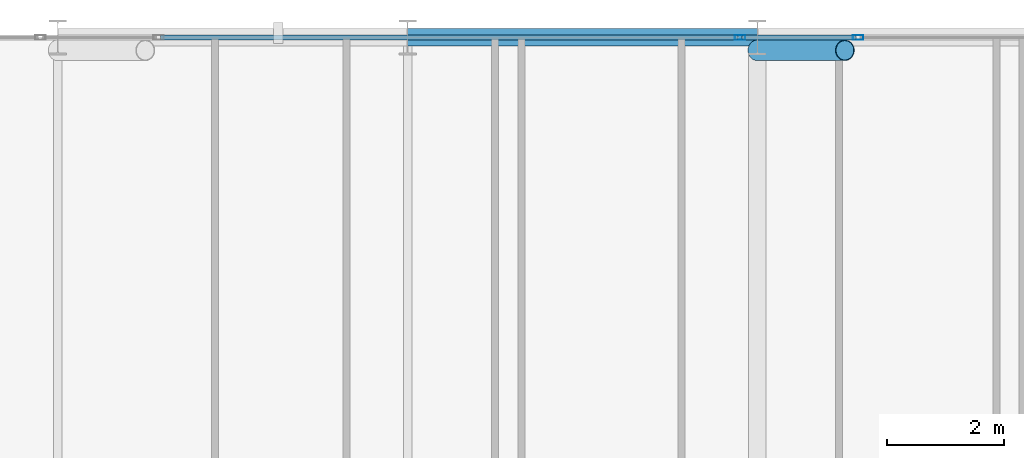
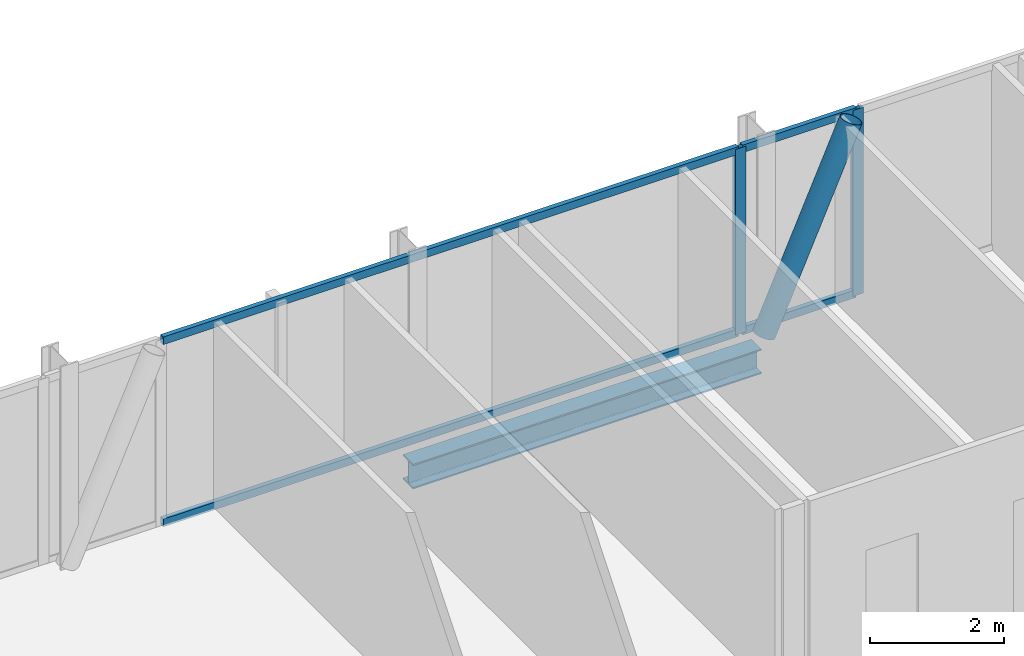
# One storey, part 17 of 29: 7 members, 1 beam, 2 elements without a shape of their own.
"""IFC4 building model written with IfcOpenShell, lengths in metres."""

from ifc_helpers import new_model, si_unit, direction, frame, origin, origin_2d, place, context, subcontext, project, spatial, hollow_rectangle, hollow_circle, i_section, extrude, material, layer, layer_set, material_profile, profile_set, type_object, element, aggregate, save


model = new_model("IFC4")

# Units and contexts
model_context = context("Model", 3, precision=1e-05, world=origin(), true_north=direction((0.0, 1.0)))
body_context = subcontext(model_context, "Body", "Model", "MODEL_VIEW")
ifc_project = project(units=[si_unit("LENGTHUNIT", "METRE"), si_unit("AREAUNIT", "SQUARE_METRE"), si_unit("VOLUMEUNIT", "CUBIC_METRE"), si_unit("PLANEANGLEUNIT", "RADIAN"), si_unit("MASSUNIT", "GRAM", prefix="KILO")], contexts=[model_context])

# Site, building, storey
site_placement = place(None, origin())
site = spatial("IfcSite", under=ifc_project, at=site_placement, CompositionType="ELEMENT")
building_placement = place(site_placement, origin())
building = spatial("IfcBuilding", under=site, at=building_placement, Name="Keshet Zoharim Tower", CompositionType="ELEMENT")
storey_placement = place(building_placement, frame((0.0, 0.0, 102.0)))
storey = spatial("IfcBuildingStorey", under=building, at=storey_placement, Name="L24", CompositionType="ELEMENT", Elevation=102.0)

# Beam
ifc_material_1 = material(Name="Steel S355", Category="steel")
ifc_material_profile_1 = material_profile(ifc_material_1, i_section(OverallWidth=0.300048828125, OverallDepth=0.449951171875, WebThickness=0.013916015625, FlangeThickness=0.02587890625, FilletRadius=0.027099609375, at=origin_2d()), Name="HEB450")
ifc_profile_set_1 = profile_set([ifc_material_profile_1], Name="Steel S355")
beam_type = type_object("IfcBeamType", Name="BM-WEB-HB450", PredefinedType="BEAM", material=ifc_profile_set_1)
beam_placement = place(storey_placement, frame((27.0, 53.89990234375, -0.5400390625), z_axis=(1.0, 0.0, 0.0), x_axis=(0.0, 1.0, 0.0)))
element("IfcBeam", 1, at=beam_placement, inside=storey, type_object=beam_type, Name="L24 Primary Girder X-020", PredefinedType="BEAM", context=body_context, shape_type="SweptSolid", body=[
    extrude(i_section(OverallWidth=0.300048828125, OverallDepth=0.449951171875, WebThickness=0.013916015625, FlangeThickness=0.02587890625, FilletRadius=0.027099609375, at=origin_2d()), origin(), (0.0, 0.0, 1.0), 6.0),
])

# Curtain wall, member
ifc_material_2 = material(Name="Aluminium 6063-T6", Category="aluminium")
ifc_layer = layer(ifc_material_2, 0.159912109375)
ifc_layer_set = layer_set([ifc_layer], Name="Aluminium 6063-T6")
curtain_wall_type = type_object("IfcCurtainWallType", Name="CW-SYS-03", PredefinedType="NOTDEFINED", material=ifc_layer_set)
curtain_wall_1_placement = place(storey_placement, origin())
curtain_wall_1 = element("IfcCurtainWall", 2, at=curtain_wall_1_placement, inside=storey, type_object=curtain_wall_type, Name="L24 Unitised Curtain Wall 13 Part 3", PredefinedType="NOTDEFINED")
ifc_material_profile_2 = material_profile(ifc_material_2, hollow_rectangle(XDim=0.080078125, YDim=0.179931640625, WallThickness=0.00439453125, at=origin_2d()), Name="MUL-80x180")
ifc_profile_set_2 = profile_set([ifc_material_profile_2], Name="Aluminium 6063-T6")
member_type_1 = type_object("IfcMemberType", Name="CWM-M18", PredefinedType="MULLION", material=ifc_profile_set_2)
member_1_placement = place(storey_placement, frame((32.702392578125, 53.89990234375, 0.0), z_axis=(0.0, 0.0, 1.0), x_axis=(0.0, 1.0, 0.0)))
member_1 = element("IfcMember", 3, at=member_1_placement, type_object=member_type_1, Name="CW-03 mullion 2", PredefinedType="MULLION", context=body_context, shape_type="SweptSolid", body=[
    extrude(hollow_rectangle(XDim=0.080078125, YDim=0.179931640625, WallThickness=0.00439453125, at=origin_2d()), origin(), (0.0, 0.0, 1.0), 3.385009765625),
])

curtain_wall_2_placement = place(storey_placement, origin())
curtain_wall_2 = element("IfcCurtainWall", 4, at=curtain_wall_2_placement, inside=storey, type_object=curtain_wall_type, Name="L24 Unitised Curtain Wall 13 Part 4", PredefinedType="NOTDEFINED")
member_2_placement = place(storey_placement, frame((34.7275390625, 53.89990234375, 0.0), z_axis=(0.0, 0.0, 1.0), x_axis=(0.0, 1.0, 0.0)))
member_2 = element("IfcMember", 5, at=member_2_placement, type_object=member_type_1, Name="CW-03 mullion 2", PredefinedType="MULLION", context=body_context, shape_type="SweptSolid", body=[
    extrude(hollow_rectangle(XDim=0.080078125, YDim=0.179931640625, WallThickness=0.00439453125, at=origin_2d()), origin(), (0.0, 0.0, 1.0), 3.385009765625),
])

# Member
ifc_material_profile_3 = material_profile(ifc_material_2, hollow_rectangle(XDim=0.080078125, YDim=0.139892578125, WallThickness=0.00390625, at=origin_2d()), Name="TRN-80x140")
ifc_profile_set_3 = profile_set([ifc_material_profile_3], Name="Aluminium 6063-T6")
member_type_2 = type_object("IfcMemberType", Name="CWT-T14", PredefinedType="USERDEFINED", material=ifc_profile_set_3)
member_3_placement = place(storey_placement, frame((22.7626953125, 53.89990234375, 0.034912109375), z_axis=(1.0, 0.0, 0.0), x_axis=(0.0, 1.0, 0.0)))
member_3 = element("IfcMember", 6, at=member_3_placement, type_object=member_type_2, Name="CW-03 transom 1.1", ObjectType="TRANSOM", PredefinedType="USERDEFINED", context=body_context, shape_type="SweptSolid", body=[
    extrude(hollow_rectangle(XDim=0.080078125, YDim=0.139892578125, WallThickness=0.00390625, at=origin_2d()), origin(), (0.0, 0.0, 1.0), 9.90478515625),
])

member_4_placement = place(storey_placement, frame((22.7626953125, 53.89990234375, 3.35009765625), z_axis=(1.0, 0.0, 0.0), x_axis=(0.0, 1.0, 0.0)))
member_4 = element("IfcMember", 7, at=member_4_placement, type_object=member_type_2, Name="CW-03 transom 1.2", ObjectType="TRANSOM", PredefinedType="USERDEFINED", context=body_context, shape_type="SweptSolid", body=[
    extrude(hollow_rectangle(XDim=0.080078125, YDim=0.139892578125, WallThickness=0.00390625, at=origin_2d()), origin(), (0.0, 0.0, 1.0), 9.90478515625),
])

aggregate(curtain_wall_1, [member_1, member_3, member_4])

member_5_placement = place(storey_placement, frame((32.7373046875, 53.89990234375, 0.034912109375), z_axis=(1.0, 0.0, 0.0), x_axis=(0.0, 1.0, 0.0)))
member_5 = element("IfcMember", 8, at=member_5_placement, type_object=member_type_2, Name="CW-03 transom 1.1", ObjectType="TRANSOM", PredefinedType="USERDEFINED", context=body_context, shape_type="SweptSolid", body=[
    extrude(hollow_rectangle(XDim=0.080078125, YDim=0.139892578125, WallThickness=0.00390625, at=origin_2d()), origin(), (0.0, 0.0, 1.0), 1.955322265625),
])

member_6_placement = place(storey_placement, frame((32.7373046875, 53.89990234375, 3.35009765625), z_axis=(1.0, 0.0, 0.0), x_axis=(0.0, 1.0, 0.0)))
member_6 = element("IfcMember", 9, at=member_6_placement, type_object=member_type_2, Name="CW-03 transom 1.2", ObjectType="TRANSOM", PredefinedType="USERDEFINED", context=body_context, shape_type="SweptSolid", body=[
    extrude(hollow_rectangle(XDim=0.080078125, YDim=0.139892578125, WallThickness=0.00390625, at=origin_2d()), origin(), (0.0, 0.0, 1.0), 1.955322265625),
])

aggregate(curtain_wall_2, [member_2, member_5, member_6])

ifc_material_profile_4 = material_profile(ifc_material_1, hollow_circle(Radius=0.177734375, WallThickness=0.012451171875, at=origin_2d()), Name="CHS355x12.5")
ifc_profile_set_4 = profile_set([ifc_material_profile_4], Name="Steel S355")
member_type_3 = type_object("IfcMemberType", Name="MB-BR-C355", PredefinedType="BRACE", material=ifc_profile_set_4)
member_7_placement = place(storey_placement, frame((33.0, 53.679931640625, 0.0), z_axis=(0.405134846829, 0.0, 0.91425694194), x_axis=(0.0, 1.0, 0.0)))
element("IfcMember", 10, at=member_7_placement, inside=storey, type_object=member_type_3, Name="L24 Perimeter Tube Brace 03", PredefinedType="BRACE", context=body_context, shape_type="SweptSolid", body=[
    extrude(hollow_circle(Radius=0.177734375, WallThickness=0.012451171875, at=origin_2d()), origin(), (0.0, 0.0, 1.0), 3.702392578125),
])

save(model, "model.ifc")
